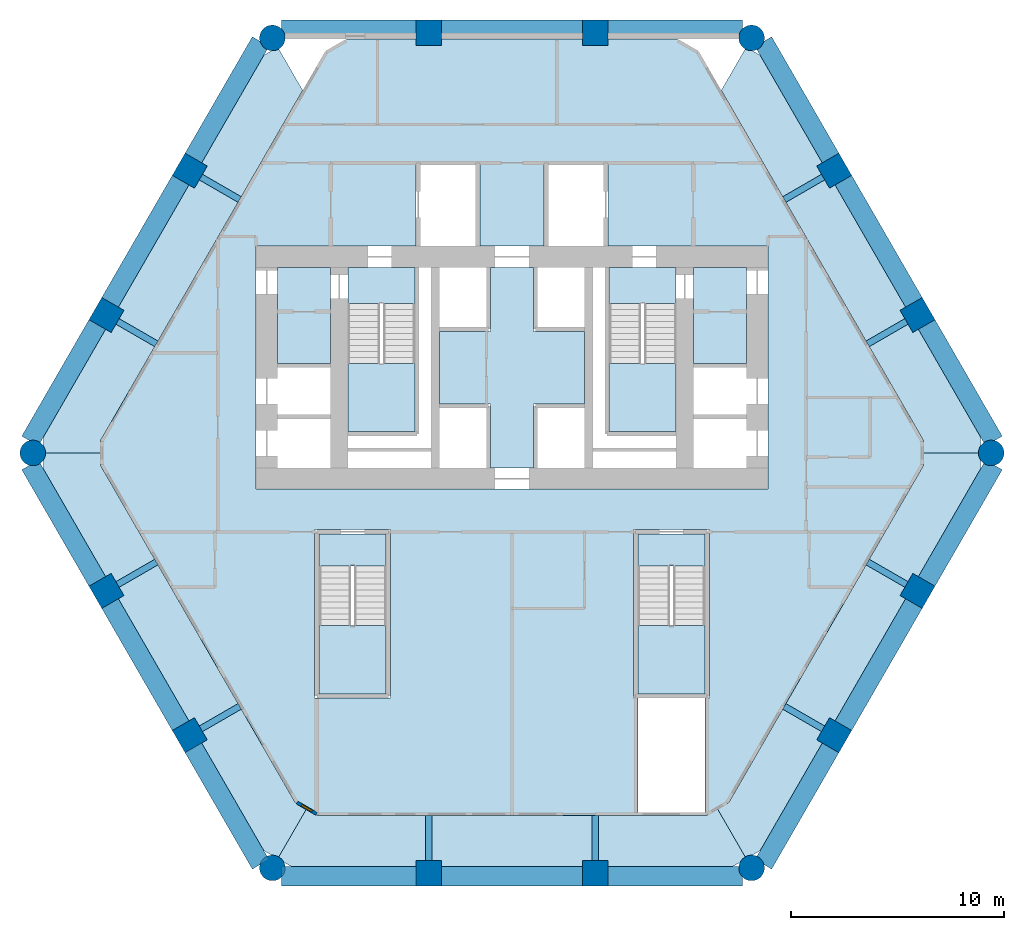
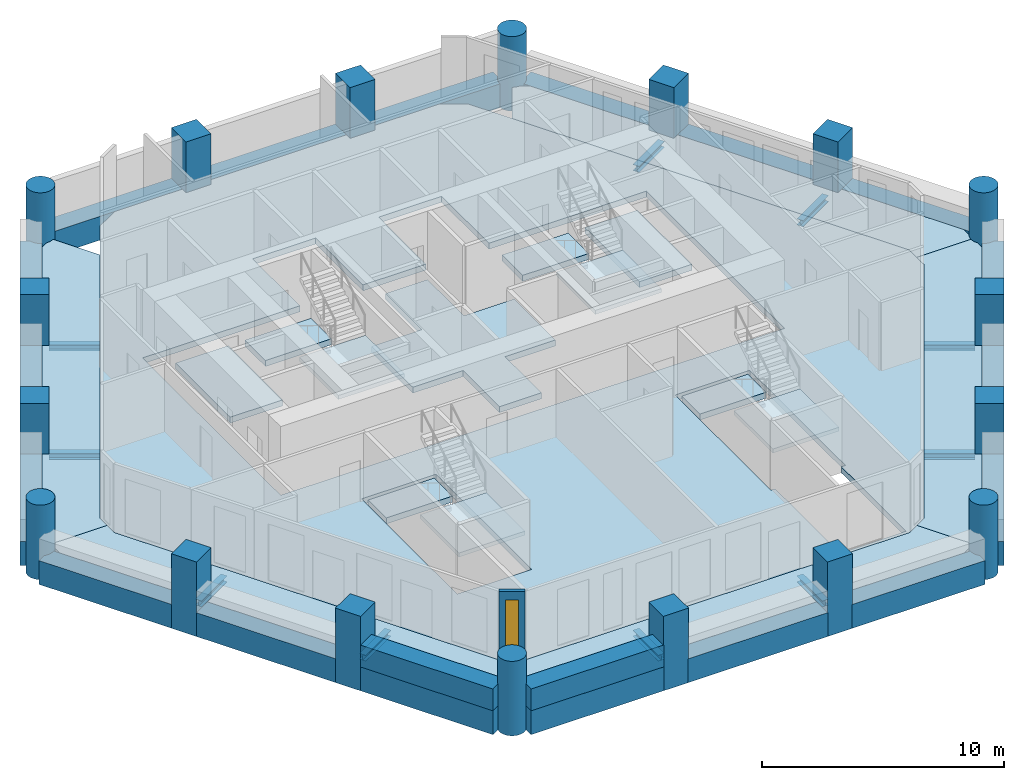
# One storey, part 1 of 7: 28 beams, 18 columns, 17 slabs, 3 walls, 1 window, 1 opening, 4 elements without a shape of their own.
"""IFC4 building model written with IfcOpenShell, lengths in metres."""

from ifc_helpers import new_model, si_unit, direction, frame, frame_2d, origin, origin_2d, place, context, subcontext, project, spatial, polyline, rectangle, circle, i_section, outline, extrude, material, layer, layer_set, material_profile, profile_set, type_object, element, fill, aggregate, save


model = new_model("IFC4")

# Units and contexts
model_context = context("Model", 3, precision=1e-05, world=origin(), true_north=direction((0.0, 1.0)))
body_context = subcontext(model_context, "Body", "Model", "MODEL_VIEW")
ifc_project = project(units=[si_unit("LENGTHUNIT", "METRE"), si_unit("AREAUNIT", "SQUARE_METRE"), si_unit("VOLUMEUNIT", "CUBIC_METRE"), si_unit("PLANEANGLEUNIT", "RADIAN"), si_unit("MASSUNIT", "GRAM", prefix="KILO")], contexts=[model_context])

# Site, building, storey
site_placement = place(None, origin())
site = spatial("IfcSite", under=ifc_project, at=site_placement, CompositionType="ELEMENT")
building_placement = place(site_placement, origin())
building = spatial("IfcBuilding", under=site, at=building_placement, Name="Ostrander Bayou Hotel Tower", CompositionType="ELEMENT")
storey_placement = place(building_placement, frame((0.0, 0.0, 89.25)))
storey = spatial("IfcBuildingStorey", under=building, at=storey_placement, Name="L22", CompositionType="ELEMENT", Elevation=89.25)

# Columns
ifc_material_1 = material(Name="Concrete f'c 70 MPa", Category="concrete")
ifc_material_profile_1 = material_profile(ifc_material_1, circle(Radius=0.60009765625, at=origin_2d()))
ifc_profile_set_1 = profile_set([ifc_material_profile_1], Name="Concrete f'c 70 MPa")
column_type_1 = type_object("IfcColumnType", Name="C3 round column 1200 mm f'c 70 MPa", PredefinedType="COLUMN", material=ifc_profile_set_1)
for number, where, z_axis, x_axis, name in (
    (1, (-11.234619140625, 19.458740234375, -1.199951171875), (0.0, 0.0, 1.0), (1.0, 0.0, 0.0), "C3 L22 K0"),
    (2, (-22.468994140625, 0.0, -1.199951171875), (0.0, 0.0, 1.0), (1.0, 0.0, 0.0), "C3 L22 K1"),
    (3, (-11.234619140625, -19.458740234375, -1.199951171875), (0.0, 0.0, 1.0), (1.0, 0.0, 0.0), "C3 L22 K2"),
    (4, (11.234619140625, -19.458740234375, -1.199951171875), (0.0, 0.0, 1.0), (1.0, 0.0, 0.0), "C3 L22 K3"),
    (5, (22.468994140625, 0.0, -1.199951171875), (0.0, 0.0, 1.0), (1.0, 0.0, 0.0), "C3 L22 K4"),
    (6, (11.234619140625, 19.458740234375, -1.199951171875), (0.0, 0.0, 1.0), (1.0, 0.0, 0.0), "C3 L22 K5"),
):
    element("IfcColumn", number, at=place(storey_placement, frame(where, z_axis=z_axis, x_axis=x_axis)), inside=storey, type_object=column_type_1, Name=name, PredefinedType="COLUMN", context=body_context, shape_type="SweptSolid", body=[
        extrude(circle(Radius=0.60009765625, at=origin_2d()), origin(), (0.0, 0.0, 1.0), 3.75),
    ])
ifc_material_2 = material(Name="Concrete f'c 70 MPa", Category="concrete")
ifc_material_profile_2 = material_profile(ifc_material_2, rectangle(XDim=1.199951171875, YDim=1.199951171875, at=origin_2d()))
ifc_profile_set_2 = profile_set([ifc_material_profile_2], Name="Concrete f'c 70 MPa")
column_type_2 = type_object("IfcColumnType", Name="C4 square column 1200 x 1200 mm f'c 70 MPa", PredefinedType="COLUMN", material=ifc_profile_set_2)
for number, where, z_axis, x_axis, name in (
    (7, (3.90673828125, 19.699951171875, -1.199951171875), (0.0, 0.0, 1.0), (1.0, 0.0, 0.0), "C4 L22 N1"),
    (8, (-3.90673828125, 19.699951171875, -1.199951171875), (0.0, 0.0, 1.0), (1.0, 0.0, 0.0), "C4 L22 N2"),
    (9, (-15.107421875, 13.2333984375, -1.199951171875), (0.0, 0.0, 1.0), (0.5, 0.866025403784, 0.0), "C4 L22 NW1"),
    (10, (-19.01416015625, 6.466796875, -1.199951171875), (0.0, 0.0, 1.0), (0.5, 0.866025403784, 0.0), "C4 L22 NW2"),
    (11, (-19.01416015625, -6.466796875, -1.199951171875), (0.0, 0.0, 1.0), (-0.5, 0.866025403784, 0.0), "C4 L22 SW1"),
    (12, (-15.107421875, -13.2333984375, -1.199951171875), (0.0, 0.0, 1.0), (-0.5, 0.866025403784, 0.0), "C4 L22 SW2"),
    (13, (-3.90673828125, -19.699951171875, -1.199951171875), (0.0, 0.0, 1.0), (-1.0, 0.0, 0.0), "C4 L22 S1"),
    (14, (3.90673828125, -19.699951171875, -1.199951171875), (0.0, 0.0, 1.0), (-1.0, 0.0, 0.0), "C4 L22 S2"),
    (15, (15.107421875, -13.2333984375, -1.199951171875), (0.0, 0.0, 1.0), (-0.5, -0.866025403784, 0.0), "C4 L22 SE1"),
    (16, (19.01416015625, -6.466796875, -1.199951171875), (0.0, 0.0, 1.0), (-0.5, -0.866025403784, 0.0), "C4 L22 SE2"),
    (17, (19.01416015625, 6.466796875, -1.199951171875), (0.0, 0.0, 1.0), (0.5, -0.866025403784, 0.0), "C4 L22 NE1"),
    (18, (15.107421875, 13.2333984375, -1.199951171875), (0.0, 0.0, 1.0), (0.5, -0.866025403784, 0.0), "C4 L22 NE2"),
):
    element("IfcColumn", number, at=place(storey_placement, frame(where, z_axis=z_axis, x_axis=x_axis)), inside=storey, type_object=column_type_2, Name=name, PredefinedType="COLUMN", context=body_context, shape_type="SweptSolid", body=[
        extrude(rectangle(XDim=1.199951171875, YDim=1.199951171875, at=origin_2d()), origin(), (0.0, 0.0, 1.0), 3.75),
    ])

# Beams
ifc_material_3 = material(Name="Steel ASTM A992", Category="steel")
ifc_material_profile_3 = material_profile(ifc_material_3, i_section(OverallWidth=0.3046875, OverallDepth=0.307861328125, WebThickness=0.010009765625, FlangeThickness=0.015380859375, at=origin_2d()))
ifc_profile_set_3 = profile_set([ifc_material_profile_3], Name="Steel ASTM A992")
beam_type_1 = type_object("IfcBeamType", Name="LB1 loggia bracket W12x65", PredefinedType="BEAM", material=ifc_profile_set_3)
for number, where, z_axis, x_axis, name in (
    (19, (-14.587646484375, 12.933349609375, -0.453857421875), (0.866009402589, -0.500027713859, 0.0), (0.500027713859, 0.866009402589, 0.0), "LB1 L22 NW1"),
    (20, (-18.494384765625, 6.166748046875, -0.453857421875), (0.866009402589, -0.500027713859, 0.0), (0.500027713859, 0.866009402589, 0.0), "LB1 L22 NW2"),
    (21, (-18.494384765625, -6.166748046875, -0.453857421875), (0.866009402589, 0.500027713859, 0.0), (-0.500027713859, 0.866009402589, 0.0), "LB1 L22 SW1"),
    (22, (-14.587646484375, -12.933349609375, -0.453857421875), (0.866009402589, 0.500027713859, 0.0), (-0.500027713859, 0.866009402589, 0.0), "LB1 L22 SW2"),
    (23, (-3.90673828125, -19.10009765625, -0.453857421875), (0.0, 1.0, 0.0), (-1.0, 0.0, 0.0), "LB1 L22 S1"),
    (24, (3.90673828125, -19.10009765625, -0.453857421875), (0.0, 1.0, 0.0), (-1.0, 0.0, 0.0), "LB1 L22 S2"),
    (25, (14.587646484375, -12.933349609375, -0.453857421875), (-0.866009402589, 0.500027713859, 0.0), (-0.500027713859, -0.866009402589, 0.0), "LB1 L22 SE1"),
    (26, (18.494384765625, -6.166748046875, -0.453857421875), (-0.866009402589, 0.500027713859, 0.0), (-0.500027713859, -0.866009402589, 0.0), "LB1 L22 SE2"),
    (27, (18.494384765625, 6.166748046875, -0.453857421875), (-0.866009402589, -0.500027713859, 0.0), (0.500027713859, -0.866009402589, 0.0), "LB1 L22 NE1"),
    (28, (14.587646484375, 12.933349609375, -0.453857421875), (-0.866009402589, -0.500027713859, 0.0), (0.500027713859, -0.866009402589, 0.0), "LB1 L22 NE2"),
):
    element("IfcBeam", number, at=place(storey_placement, frame(where, z_axis=z_axis, x_axis=x_axis)), inside=storey, type_object=beam_type_1, Name=name, PredefinedType="BEAM", context=body_context, shape_type="SweptSolid", body=[
        extrude(i_section(OverallWidth=0.3046875, OverallDepth=0.307861328125, WebThickness=0.010009765625, FlangeThickness=0.015380859375, at=origin_2d()), origin(), (0.0, 0.0, 1.0), 2.10009765625),
    ])
ifc_material_4 = material(Name="Concrete f'c 70 MPa", Category="concrete")
ifc_material_profile_4 = material_profile(ifc_material_4, rectangle(XDim=0.89990234375, YDim=1.199951171875, at=origin_2d()))
ifc_profile_set_4 = profile_set([ifc_material_profile_4], Name="Concrete f'c 70 MPa")
beam_type_2 = type_object("IfcBeamType", Name="SP2 spandrel beam 900 x 1200 mm f'c 70 MPa", PredefinedType="SPANDREL", material=ifc_profile_set_4)
beam_1_placement = place(storey_placement, frame((10.8095703125, 19.85009765625, -0.60009765625), z_axis=(-1.0, 0.0, 0.0), x_axis=(0.0, -1.0, 0.0)))
element("IfcBeam", 29, at=beam_1_placement, inside=storey, type_object=beam_type_2, Name="SP2 L22 N-1", PredefinedType="SPANDREL", context=body_context, shape_type="SweptSolid", body=[
    extrude(rectangle(XDim=0.89990234375, YDim=1.199951171875, at=origin_2d()), origin(), (0.0, 0.0, 1.0), 6.332763671875),
])
beam_2_placement = place(storey_placement, frame((3.336669921875, 19.85009765625, -0.60009765625), z_axis=(-1.0, 0.0, 0.0), x_axis=(0.0, -1.0, 0.0)))
element("IfcBeam", 30, at=beam_2_placement, inside=storey, type_object=beam_type_2, Name="SP2 L22 N-2", PredefinedType="SPANDREL", context=body_context, shape_type="SweptSolid", body=[
    extrude(rectangle(XDim=0.89990234375, YDim=1.199951171875, at=origin_2d()), origin(), (0.0, 0.0, 1.0), 6.67333984375),
])
for number, where, z_axis, x_axis, name in (
    (31, (-4.476806640625, 19.85009765625, -0.60009765625), (-1.0, 0.0, 0.0), (0.0, -1.0, 0.0), "SP2 L22 N-3"),
    (32, (-11.785888671875, 19.286376953125, -0.60009765625), (-0.499982754166, -0.866035360443, 0.0), (0.866035360443, -0.499982754166, 0.0), "SP2 L22 NW-1"),
):
    element("IfcBeam", number, at=place(storey_placement, frame(where, z_axis=z_axis, x_axis=x_axis)), inside=storey, type_object=beam_type_2, Name=name, PredefinedType="SPANDREL", context=body_context, shape_type="SweptSolid", body=[
        extrude(rectangle(XDim=0.89990234375, YDim=1.199951171875, at=origin_2d()), origin(), (0.0, 0.0, 1.0), 6.332763671875),
    ])
beam_3_placement = place(storey_placement, frame((-15.522216796875, 12.814697265625, -0.60009765625), z_axis=(-0.499999023957, -0.866025967302, 0.0), x_axis=(0.866025967302, -0.499999023957, 0.0)))
element("IfcBeam", 33, at=beam_3_placement, inside=storey, type_object=beam_type_2, Name="SP2 L22 NW-2", PredefinedType="SPANDREL", context=body_context, shape_type="SweptSolid", body=[
    extrude(rectangle(XDim=0.89990234375, YDim=1.199951171875, at=origin_2d()), origin(), (0.0, 0.0, 1.0), 6.67333984375),
])
for number, where, z_axis, x_axis, name in (
    (34, (-19.428955078125, 6.048095703125, -0.60009765625), (-0.500011668103, -0.866018667098, 0.0), (0.866018667098, -0.500011668103, 0.0), "SP2 L22 NW-3"),
    (35, (-22.595458984375, -0.563720703125, -0.60009765625), (0.500011668103, -0.866018667098, 0.0), (0.866018667098, 0.500011668103, 0.0), "SP2 L22 SW-1"),
):
    element("IfcBeam", number, at=place(storey_placement, frame(where, z_axis=z_axis, x_axis=x_axis)), inside=storey, type_object=beam_type_2, Name=name, PredefinedType="SPANDREL", context=body_context, shape_type="SweptSolid", body=[
        extrude(rectangle(XDim=0.89990234375, YDim=1.199951171875, at=origin_2d()), origin(), (0.0, 0.0, 1.0), 6.332763671875),
    ])
beam_4_placement = place(storey_placement, frame((-18.85888671875, -7.035400390625, -0.60009765625), z_axis=(0.499999023957, -0.866025967302, 0.0), x_axis=(0.866025967302, 0.499999023957, 0.0)))
element("IfcBeam", 36, at=beam_4_placement, inside=storey, type_object=beam_type_2, Name="SP2 L22 SW-2", PredefinedType="SPANDREL", context=body_context, shape_type="SweptSolid", body=[
    extrude(rectangle(XDim=0.89990234375, YDim=1.199951171875, at=origin_2d()), origin(), (0.0, 0.0, 1.0), 6.67333984375),
])
for number, where, z_axis, x_axis, name in (
    (37, (-14.9521484375, -13.802001953125, -0.60009765625), (0.499982754166, -0.866035360443, 0.0), (0.866035360443, 0.499982754166, 0.0), "SP2 L22 SW-3"),
    (38, (-10.8095703125, -19.85009765625, -0.60009765625), (1.0, 0.0, 0.0), (0.0, 1.0, 0.0), "SP2 L22 S-1"),
):
    element("IfcBeam", number, at=place(storey_placement, frame(where, z_axis=z_axis, x_axis=x_axis)), inside=storey, type_object=beam_type_2, Name=name, PredefinedType="SPANDREL", context=body_context, shape_type="SweptSolid", body=[
        extrude(rectangle(XDim=0.89990234375, YDim=1.199951171875, at=origin_2d()), origin(), (0.0, 0.0, 1.0), 6.332763671875),
    ])
beam_5_placement = place(storey_placement, frame((-3.336669921875, -19.85009765625, -0.60009765625), z_axis=(1.0, 0.0, 0.0), x_axis=(0.0, 1.0, 0.0)))
element("IfcBeam", 39, at=beam_5_placement, inside=storey, type_object=beam_type_2, Name="SP2 L22 S-2", PredefinedType="SPANDREL", context=body_context, shape_type="SweptSolid", body=[
    extrude(rectangle(XDim=0.89990234375, YDim=1.199951171875, at=origin_2d()), origin(), (0.0, 0.0, 1.0), 6.67333984375),
])
for number, where, z_axis, x_axis, name in (
    (40, (4.476806640625, -19.85009765625, -0.60009765625), (1.0, 0.0, 0.0), (0.0, 1.0, 0.0), "SP2 L22 S-3"),
    (41, (11.785888671875, -19.286376953125, -0.60009765625), (0.499982754166, 0.866035360443, 0.0), (-0.866035360443, 0.499982754166, 0.0), "SP2 L22 SE-1"),
):
    element("IfcBeam", number, at=place(storey_placement, frame(where, z_axis=z_axis, x_axis=x_axis)), inside=storey, type_object=beam_type_2, Name=name, PredefinedType="SPANDREL", context=body_context, shape_type="SweptSolid", body=[
        extrude(rectangle(XDim=0.89990234375, YDim=1.199951171875, at=origin_2d()), origin(), (0.0, 0.0, 1.0), 6.332763671875),
    ])
beam_6_placement = place(storey_placement, frame((15.522216796875, -12.814697265625, -0.60009765625), z_axis=(0.499999023957, 0.866025967302, 0.0), x_axis=(-0.866025967302, 0.499999023957, 0.0)))
element("IfcBeam", 42, at=beam_6_placement, inside=storey, type_object=beam_type_2, Name="SP2 L22 SE-2", PredefinedType="SPANDREL", context=body_context, shape_type="SweptSolid", body=[
    extrude(rectangle(XDim=0.89990234375, YDim=1.199951171875, at=origin_2d()), origin(), (0.0, 0.0, 1.0), 6.67333984375),
])
for number, where, z_axis, x_axis, name in (
    (43, (19.428955078125, -6.048095703125, -0.60009765625), (0.500011668103, 0.866018667098, 0.0), (-0.866018667098, 0.500011668103, 0.0), "SP2 L22 SE-3"),
    (44, (22.595458984375, 0.563720703125, -0.60009765625), (-0.500011668103, 0.866018667098, 0.0), (-0.866018667098, -0.500011668103, 0.0), "SP2 L22 NE-1"),
):
    element("IfcBeam", number, at=place(storey_placement, frame(where, z_axis=z_axis, x_axis=x_axis)), inside=storey, type_object=beam_type_2, Name=name, PredefinedType="SPANDREL", context=body_context, shape_type="SweptSolid", body=[
        extrude(rectangle(XDim=0.89990234375, YDim=1.199951171875, at=origin_2d()), origin(), (0.0, 0.0, 1.0), 6.332763671875),
    ])
beam_7_placement = place(storey_placement, frame((18.85888671875, 7.035400390625, -0.60009765625), z_axis=(-0.499999023957, 0.866025967302, 0.0), x_axis=(-0.866025967302, -0.499999023957, 0.0)))
element("IfcBeam", 45, at=beam_7_placement, inside=storey, type_object=beam_type_2, Name="SP2 L22 NE-2", PredefinedType="SPANDREL", context=body_context, shape_type="SweptSolid", body=[
    extrude(rectangle(XDim=0.89990234375, YDim=1.199951171875, at=origin_2d()), origin(), (0.0, 0.0, 1.0), 6.67333984375),
])
beam_8_placement = place(storey_placement, frame((14.9521484375, 13.802001953125, -0.60009765625), z_axis=(-0.499982754166, 0.866035360443, 0.0), x_axis=(-0.866035360443, -0.499982754166, 0.0)))
element("IfcBeam", 46, at=beam_8_placement, inside=storey, type_object=beam_type_2, Name="SP2 L22 NE-3", PredefinedType="SPANDREL", context=body_context, shape_type="SweptSolid", body=[
    extrude(rectangle(XDim=0.89990234375, YDim=1.199951171875, at=origin_2d()), origin(), (0.0, 0.0, 1.0), 6.332763671875),
])

# Slabs
ifc_material_5 = material(Name="Concrete f'c 40 MPa", Category="concrete")
ifc_layer_1 = layer(ifc_material_5, 0.300048828125)
ifc_layer_set_1 = layer_set([ifc_layer_1], Name="SL1 floor slab 300 mm f'c 40 MPa")
slab_type_1 = type_object("IfcSlabType", Name="SL1 floor slab 300 mm f'c 40 MPa", PredefinedType="FLOOR", material=ifc_layer_set_1)
slab_1_placement = place(storey_placement, frame((0.0, 0.0, -0.300048828125)))
element("IfcSlab", 47, at=slab_1_placement, inside=storey, type_object=slab_type_1, Name="SL1 L22 1", PredefinedType="FLOOR", context=body_context, shape_type="SweptSolid", body=[
    extrude(outline(polyline([(-3.336669921875, 19.39990234375), (3.336669921875, 19.39990234375), (4.476806640625, 19.39990234375), (7.736572265625, 19.39990234375), (8.775634765625, 18.800048828125), (19.283447265625, 0.60009765625), (19.283447265625, -0.60009765625), (10.161376953125, -16.39990234375), (9.1220703125, -17.0), (-9.1220703125, -17.0), (-10.161376953125, -16.39990234375), (-19.283447265625, -0.60009765625), (-19.283447265625, 0.60009765625), (-8.775634765625, 18.800048828125), (-7.736572265625, 19.39990234375), (-4.476806640625, 19.39990234375), (-3.336669921875, 19.39990234375)]), holes=[polyline([(-12.0, -1.699951171875), (12.0, -1.699951171875), (12.0, 9.699951171875), (4.5, 9.699951171875), (4.5, 13.60009765625), (1.5, 13.60009765625), (1.5, 9.699951171875), (-1.5, 9.699951171875), (-1.5, 13.60009765625), (-4.5, 13.60009765625), (-4.5, 9.699951171875), (-12.0, 9.699951171875), (-12.0, -1.699951171875)]), polyline([(9.050048828125, -11.5), (9.25, -11.5), (9.25, -3.60009765625), (5.699951171875, -3.60009765625), (5.699951171875, -11.5), (5.89990234375, -11.5), (5.89990234375, -16.85009765625), (9.050048828125, -16.85009765625), (9.050048828125, -11.5)]), polyline([(-5.699951171875, -3.60009765625), (-9.25, -3.60009765625), (-9.25, -11.5), (-5.699951171875, -11.5), (-5.699951171875, -3.60009765625)])]), origin(), (0.0, 0.0, 1.0), 0.300048828125),
])
slab_2_placement = place(storey_placement, frame((0.0, 0.0, -0.300048828125)))
element("IfcSlab", 48, at=slab_2_placement, inside=storey, type_object=slab_type_1, Name="cslab:L22:001", PredefinedType="FLOOR", context=body_context, shape_type="SweptSolid", body=[
    extrude(outline(polyline([(-3.39990234375, 5.699951171875), (-1.0, 5.699951171875), (-1.0, 8.699951171875), (1.0, 8.699951171875), (1.0, 5.699951171875), (3.39990234375, 5.699951171875), (3.39990234375, 2.300048828125), (1.0, 2.300048828125), (1.0, -0.699951171875), (-1.0, -0.699951171875), (-1.0, 2.300048828125), (-3.39990234375, 2.300048828125), (-3.39990234375, 5.699951171875)])), origin(), (0.0, 0.0, 1.0), 0.300048828125),
])
slab_3_placement = place(storey_placement, frame((0.0, 0.0, -0.300048828125)))
element("IfcSlab", 49, at=slab_3_placement, inside=storey, type_object=slab_type_1, Name="cslab:L22:002", PredefinedType="FLOOR", context=body_context, shape_type="SweptSolid", body=[
    extrude(outline(polyline([(-8.5, 4.199951171875), (-8.5, 8.699951171875), (-11.0, 8.699951171875), (-11.0, 4.199951171875), (-8.5, 4.199951171875)])), origin(), (0.0, 0.0, 1.0), 0.300048828125),
])
slab_4_placement = place(storey_placement, frame((0.0, 0.0, -0.300048828125)))
element("IfcSlab", 50, at=slab_4_placement, inside=storey, type_object=slab_type_1, Name="cslab:L22:003", PredefinedType="FLOOR", context=body_context, shape_type="SweptSolid", body=[
    extrude(outline(polyline([(11.0, 4.199951171875), (11.0, 8.699951171875), (8.5, 8.699951171875), (8.5, 4.199951171875), (11.0, 4.199951171875)])), origin(), (0.0, 0.0, 1.0), 0.300048828125),
])
slab_5_placement = place(storey_placement, frame((0.0, 0.0, -0.300048828125)))
element("IfcSlab", 51, at=slab_5_placement, inside=storey, type_object=slab_type_1, Name="cslab:L22:004", PredefinedType="FLOOR", context=body_context, shape_type="SweptSolid", body=[
    extrude(outline(polyline([(-4.550048828125, 7.0), (-4.550048828125, 8.699951171875), (-7.699951171875, 8.699951171875), (-7.699951171875, 7.0), (-4.550048828125, 7.0)])), origin(), (0.0, 0.0, 1.0), 0.300048828125),
])
slab_6_placement = place(storey_placement, frame((0.0, 0.0, -0.300048828125)))
element("IfcSlab", 52, at=slab_6_placement, inside=storey, type_object=slab_type_1, Name="cslab:L22:005", PredefinedType="FLOOR", context=body_context, shape_type="SweptSolid", body=[
    extrude(outline(polyline([(7.699951171875, 7.0), (7.699951171875, 8.699951171875), (4.550048828125, 8.699951171875), (4.550048828125, 7.0), (7.699951171875, 7.0)])), origin(), (0.0, 0.0, 1.0), 0.300048828125),
])
slab_7_placement = place(storey_placement, frame((0.0, 0.0, -0.300048828125)))
element("IfcSlab", 53, at=slab_7_placement, inside=storey, type_object=slab_type_1, Name="cslab:L22:006", PredefinedType="FLOOR", context=body_context, shape_type="SweptSolid", body=[
    extrude(outline(polyline([(9.050048828125, -5.300048828125), (9.050048828125, -3.800048828125), (5.89990234375, -3.800048828125), (5.89990234375, -5.300048828125), (9.050048828125, -5.300048828125)])), origin(), (0.0, 0.0, 1.0), 0.300048828125),
])
slab_8_placement = place(storey_placement, frame((0.0, 0.0, -0.300048828125)))
element("IfcSlab", 54, at=slab_8_placement, inside=storey, type_object=slab_type_1, Name="cslab:L22:007", PredefinedType="FLOOR", context=body_context, shape_type="SweptSolid", body=[
    extrude(outline(polyline([(-5.89990234375, -5.300048828125), (-5.89990234375, -3.800048828125), (-9.050048828125, -3.800048828125), (-9.050048828125, -5.300048828125), (-5.89990234375, -5.300048828125)])), origin(), (0.0, 0.0, 1.0), 0.300048828125),
])
ifc_material_6 = material(Name="Concrete f'c 40 MPa", Category="concrete")
ifc_layer_2 = layer(ifc_material_6, 0.300048828125)
ifc_layer_set_2 = layer_set([ifc_layer_2], Name="SL4 loggia slab 300 mm f'c 40 MPa")
slab_type_2 = type_object("IfcSlabType", Name="SL4 loggia slab 300 mm f'c 40 MPa", PredefinedType="FLOOR", material=ifc_layer_set_2)
slab_9_placement = place(storey_placement, frame((0.0, 0.0, -0.300048828125)))
element("IfcSlab", 55, at=slab_9_placement, inside=storey, type_object=slab_type_2, Name="SL4 LOGGIA L22 NW 1", PredefinedType="FLOOR", context=body_context, shape_type="SweptSolid", body=[
    extrude(outline(polyline([(-21.869140625, 0.0), (-21.880615234375, 0.1171875), (-21.914794921875, 0.2294921875), (-21.96826171875, 0.32958984375), (-21.96826171875, 0.75), (-18.46923828125, 6.810302734375), (-17.10009765625, 9.181884765625), (-13.84619140625, 14.81787109375), (-12.3515625, 17.406494140625), (-11.633544921875, 18.64990234375), (-11.266357421875, 18.862060546875), (-11.234619140625, 18.85888671875), (-11.117431640625, 18.870361328125), (-11.0048828125, 18.904541015625), (-10.935791015625, 18.94140625), (-9.81494140625, 17.0), (-19.283447265625, 0.60009765625), (-19.283447265625, 0.0), (-21.869140625, 0.0)])), origin(), (0.0, 0.0, 1.0), 0.300048828125),
])
slab_10_placement = place(storey_placement, frame((0.0, 0.0, -0.300048828125)))
element("IfcSlab", 56, at=slab_10_placement, inside=storey, type_object=slab_type_2, Name="SL4 LOGGIA L22 SW 1", PredefinedType="FLOOR", context=body_context, shape_type="SweptSolid", body=[
    extrude(outline(polyline([(-9.6416015625, -16.699951171875), (-10.935791015625, -18.94140625), (-11.0048828125, -18.904541015625), (-11.117431640625, -18.870361328125), (-11.234619140625, -18.85888671875), (-11.266357421875, -18.862060546875), (-11.633544921875, -18.64990234375), (-14.5625, -13.576904296875), (-15.132568359375, -12.589599609375), (-18.46923828125, -6.810302734375), (-19.039306640625, -5.822998046875), (-21.96826171875, -0.75), (-21.96826171875, -0.32958984375), (-21.914794921875, -0.2294921875), (-21.880615234375, -0.1171875), (-21.869140625, 0.0), (-19.283447265625, 0.0), (-19.283447265625, -0.60009765625), (-10.161376953125, -16.39990234375), (-9.6416015625, -16.699951171875)])), origin(), (0.0, 0.0, 1.0), 0.300048828125),
])
slab_11_placement = place(storey_placement, frame((0.0, 0.0, -0.300048828125)))
element("IfcSlab", 57, at=slab_11_placement, inside=storey, type_object=slab_type_2, Name="SL4 LOGGIA L22 S 1", PredefinedType="FLOOR", context=body_context, shape_type="SweptSolid", body=[
    extrude(outline(polyline([(9.6416015625, -16.699951171875), (10.935791015625, -18.94140625), (10.901123046875, -18.9599609375), (10.810302734375, -19.03466796875), (10.735595703125, -19.12548828125), (10.702392578125, -19.1875), (10.334716796875, -19.39990234375), (4.476806640625, -19.39990234375), (3.336669921875, -19.39990234375), (-3.336669921875, -19.39990234375), (-4.476806640625, -19.39990234375), (-10.334716796875, -19.39990234375), (-10.702392578125, -19.1875), (-10.735595703125, -19.12548828125), (-10.810302734375, -19.03466796875), (-10.901123046875, -18.9599609375), (-10.935791015625, -18.94140625), (-9.6416015625, -16.699951171875), (-9.1220703125, -17.0), (9.1220703125, -17.0), (9.6416015625, -16.699951171875)])), origin(), (0.0, 0.0, 1.0), 0.300048828125),
])
slab_12_placement = place(storey_placement, frame((0.0, 0.0, -0.300048828125)))
element("IfcSlab", 58, at=slab_12_placement, inside=storey, type_object=slab_type_2, Name="SL4 LOGGIA L22 SE 1", PredefinedType="FLOOR", context=body_context, shape_type="SweptSolid", body=[
    extrude(outline(polyline([(19.283447265625, 0.0), (21.869140625, 0.0), (21.880615234375, -0.1171875), (21.914794921875, -0.2294921875), (21.96826171875, -0.32958984375), (21.96826171875, -0.75), (19.039306640625, -5.822998046875), (18.46923828125, -6.810302734375), (15.132568359375, -12.589599609375), (14.5625, -13.576904296875), (11.633544921875, -18.64990234375), (11.266357421875, -18.862060546875), (11.234619140625, -18.85888671875), (11.117431640625, -18.870361328125), (11.0048828125, -18.904541015625), (10.935791015625, -18.94140625), (9.6416015625, -16.699951171875), (10.161376953125, -16.39990234375), (19.283447265625, -0.60009765625), (19.283447265625, 0.0)])), origin(), (0.0, 0.0, 1.0), 0.300048828125),
])
slab_13_placement = place(storey_placement, frame((0.0, 0.0, -0.300048828125)))
element("IfcSlab", 59, at=slab_13_placement, inside=storey, type_object=slab_type_2, Name="SL4 LOGGIA L22 NE 1", PredefinedType="FLOOR", context=body_context, shape_type="SweptSolid", body=[
    extrude(outline(polyline([(10.935791015625, 18.94140625), (11.0048828125, 18.904541015625), (11.117431640625, 18.870361328125), (11.234619140625, 18.85888671875), (11.266357421875, 18.862060546875), (11.633544921875, 18.64990234375), (12.0849609375, 17.868408203125), (13.149658203125, 16.0244140625), (14.5625, 13.576904296875), (15.132568359375, 12.589599609375), (15.629638671875, 11.728515625), (15.8193359375, 11.400146484375), (18.46923828125, 6.810302734375), (19.039306640625, 5.822998046875), (21.96826171875, 0.75), (21.96826171875, 0.32958984375), (21.914794921875, 0.2294921875), (21.880615234375, 0.1171875), (21.869140625, 0.0), (19.283447265625, 0.0), (19.283447265625, 0.60009765625), (9.81494140625, 17.0), (10.935791015625, 18.94140625)])), origin(), (0.0, 0.0, 1.0), 0.300048828125),
])

# Stair, slab
ifc_material_7 = material(Name="Concrete f'c 45 MPa", Category="concrete")
stair_type = type_object("IfcStairType", Name="ST1 exit stair 1500 mm f'c 45 MPa", PredefinedType="HALF_TURN_STAIR", material=ifc_material_7)
stair_1_placement = place(storey_placement, origin())
stair_1 = element("IfcStair", 60, at=stair_1_placement, inside=storey, type_object=stair_type, Name="L22 exit stair A", PredefinedType="HALF_TURN_STAIR")
ifc_material_8 = material(Name="Concrete f'c 45 MPa", Category="concrete")
ifc_layer_3 = layer(ifc_material_8, 0.199951171875)
ifc_layer_set_3 = layer_set([ifc_layer_3], Name="SL8 stair landing 200 mm f'c 45 MPa")
slab_type_3 = type_object("IfcSlabType", Name="SL8 stair landing 200 mm f'c 45 MPa", PredefinedType="LANDING", material=ifc_layer_set_3)
slab_14_placement = place(storey_placement, frame((0.0, 0.0, 1.675048828125)))
slab_14 = element("IfcSlab", 61, at=slab_14_placement, type_object=slab_type_3, Name="STA landing 1", PredefinedType="LANDING", context=body_context, shape_type="SweptSolid", body=[
    extrude(outline(polyline([(-7.699951171875, 4.199951171875), (-7.699951171875, 1.0), (-4.550048828125, 1.0), (-4.550048828125, 4.199951171875), (-7.699951171875, 4.199951171875)])), origin(), (0.0, 0.0, 1.0), 0.199951171875),
])
aggregate(stair_1, [slab_14])

stair_2_placement = place(storey_placement, origin())
stair_2 = element("IfcStair", 62, at=stair_2_placement, inside=storey, type_object=stair_type, Name="L22 exit stair B", PredefinedType="HALF_TURN_STAIR")
slab_15_placement = place(storey_placement, frame((0.0, 0.0, 1.675048828125)))
slab_15 = element("IfcSlab", 63, at=slab_15_placement, type_object=slab_type_3, Name="STB landing 1", PredefinedType="LANDING", context=body_context, shape_type="SweptSolid", body=[
    extrude(outline(polyline([(4.550048828125, 4.199951171875), (4.550048828125, 1.0), (7.699951171875, 1.0), (7.699951171875, 4.199951171875), (4.550048828125, 4.199951171875)])), origin(), (0.0, 0.0, 1.0), 0.199951171875),
])
aggregate(stair_2, [slab_15])

stair_3_placement = place(storey_placement, origin())
stair_3 = element("IfcStair", 64, at=stair_3_placement, inside=storey, type_object=stair_type, Name="L22 exit stair C", PredefinedType="HALF_TURN_STAIR")
slab_16_placement = place(storey_placement, frame((0.0, 0.0, 1.675048828125)))
slab_16 = element("IfcSlab", 65, at=slab_16_placement, type_object=slab_type_3, Name="STC landing 1", PredefinedType="LANDING", context=body_context, shape_type="SweptSolid", body=[
    extrude(outline(polyline([(5.89990234375, -8.10009765625), (5.89990234375, -11.300048828125), (9.050048828125, -11.300048828125), (9.050048828125, -8.10009765625), (5.89990234375, -8.10009765625)])), origin(), (0.0, 0.0, 1.0), 0.199951171875),
])
aggregate(stair_3, [slab_16])

stair_4_placement = place(storey_placement, origin())
stair_4 = element("IfcStair", 66, at=stair_4_placement, inside=storey, type_object=stair_type, Name="L22 exit stair D", PredefinedType="HALF_TURN_STAIR")
slab_17_placement = place(storey_placement, frame((0.0, 0.0, 1.675048828125)))
slab_17 = element("IfcSlab", 67, at=slab_17_placement, type_object=slab_type_3, Name="STD landing 1", PredefinedType="LANDING", context=body_context, shape_type="SweptSolid", body=[
    extrude(outline(polyline([(-9.050048828125, -8.10009765625), (-9.050048828125, -11.300048828125), (-5.89990234375, -11.300048828125), (-5.89990234375, -8.10009765625), (-9.050048828125, -8.10009765625)])), origin(), (0.0, 0.0, 1.0), 0.199951171875),
])
aggregate(stair_4, [slab_17])

# Wall, opening, window
ifc_material_9 = material(Name="Aluminium framed insulated wall", Category="aluminium")
ifc_layer_4 = layer(ifc_material_9, 0.14990234375)
ifc_layer_set_4 = layer_set([ifc_layer_4], Name="GW1 glass-line wall 150 mm")
wall_type_1 = type_object("IfcWallType", Name="GW1 glass-line wall 150 mm", PredefinedType="SOLIDWALL", material=ifc_layer_set_4)
wall_1_placement = place(storey_placement, frame((-10.0791015625, -16.392578125, 0.0), z_axis=(0.0, 0.0, 1.0), x_axis=(0.866048165231, -0.499960573946, 0.0)))
wall_1 = element("IfcWall", 68, at=wall_1_placement, inside=storey, type_object=wall_type_1, Name="GW1 L22 corner 3", PredefinedType="SOLIDWALL", context=body_context, shape_type="SweptSolid", body=[
    extrude(rectangle(XDim=1.06494140625, YDim=0.14990234375, at=frame_2d((0.532470703125, 0.0))), origin(), (0.0, 0.0, 1.0), 3.449951171875),
])
opening_placement = place(wall_1_placement, frame((0.257568359375, 0.0, 0.14990234375)))
opening = element("IfcOpeningElement", 69, at=opening_placement, cuts=wall_1, Name="Opening W19", PredefinedType="OPENING", context=body_context, shape_type="SweptSolid", body=[
    extrude(rectangle(XDim=0.550048828125, YDim=2.85009765625, at=frame_2d((0.27490234375, 1.425048828125))), frame((0.0, 0.074951171875, 0.0), z_axis=(0.0, -1.0, 0.0), x_axis=(1.0, 0.0, 0.0)), (0.0, 0.0, 1.0), 0.14990234375),
])
ifc_material_10 = material(Name="Aluminium and clear glass", Category="aluminium")
window_type = type_object("IfcWindowType", Name="W19 corner window 550 mm", PartitioningType="SINGLE_PANEL", PredefinedType="WINDOW", material=ifc_material_10)
window_placement = place(opening_placement, origin())
window = element("IfcWindow", 70, at=window_placement, inside=storey, type_object=window_type, Name="W19 L22 corner 3", OverallHeight=2.85009765625, OverallWidth=0.550048828125, PartitioningType="SINGLE_PANEL", PredefinedType="WINDOW", context=body_context, shape_type="SweptSolid", body=[
    extrude(rectangle(XDim=0.550048828125, YDim=2.85009765625, at=frame_2d((0.27490234375, 1.425048828125))), frame((0.0, 0.030029296875, 0.0), z_axis=(0.0, -1.0, 0.0), x_axis=(1.0, 0.0, 0.0)), (0.0, 0.0, 1.0), 0.06005859375),
])
fill(opening, window)

# Walls
ifc_material_11 = material(Name="Concrete f'c 40 MPa", Category="concrete")
ifc_layer_5 = layer(ifc_material_11, 0.89990234375)
ifc_layer_set_5 = layer_set([ifc_layer_5], Name="PA1 stone-faced parapet 900 mm")
wall_type_2 = type_object("IfcWallType", Name="PA1 stone-faced parapet 900 mm", PredefinedType="PARAPET", material=ifc_layer_set_5)
wall_2_placement = place(storey_placement, frame((-10.8095703125, -19.85009765625, 0.0), z_axis=(0.0, 0.0, 1.0), x_axis=(1.0, 0.0, 0.0)))
element("IfcWall", 71, at=wall_2_placement, inside=storey, type_object=wall_type_2, Name="PA1 L22 S-1", PredefinedType="PARAPET", context=body_context, shape_type="SweptSolid", body=[
    extrude(rectangle(XDim=6.332763671875, YDim=0.89990234375, at=frame_2d((3.16650390625, 0.0))), origin(), (0.0, 0.0, 1.0), 1.10009765625),
])
ifc_material_12 = material(Name="Limestone masonry", Category="masonry")
ifc_layer_6 = layer(ifc_material_12, 0.89990234375)
ifc_layer_set_6 = layer_set([ifc_layer_6], Name="PA2 limestone parapet 900 mm")
wall_type_3 = type_object("IfcWallType", Name="PA2 limestone parapet 900 mm", PredefinedType="PARAPET", material=ifc_layer_set_6)
wall_3_placement = place(storey_placement, frame((-14.9521484375, -13.802001953125, 0.0), z_axis=(0.0, 0.0, 1.0), x_axis=(0.499982754166, -0.866035360443, 0.0)))
element("IfcWall", 72, at=wall_3_placement, inside=storey, type_object=wall_type_3, Name="PA2 L22 SW-3", PredefinedType="PARAPET", context=body_context, shape_type="SweptSolid", body=[
    extrude(rectangle(XDim=6.332763671875, YDim=0.89990234375, at=frame_2d((3.16650390625, 0.0))), origin(), (0.0, 0.0, 1.0), 1.10009765625),
])

save(model, "model.ifc")
